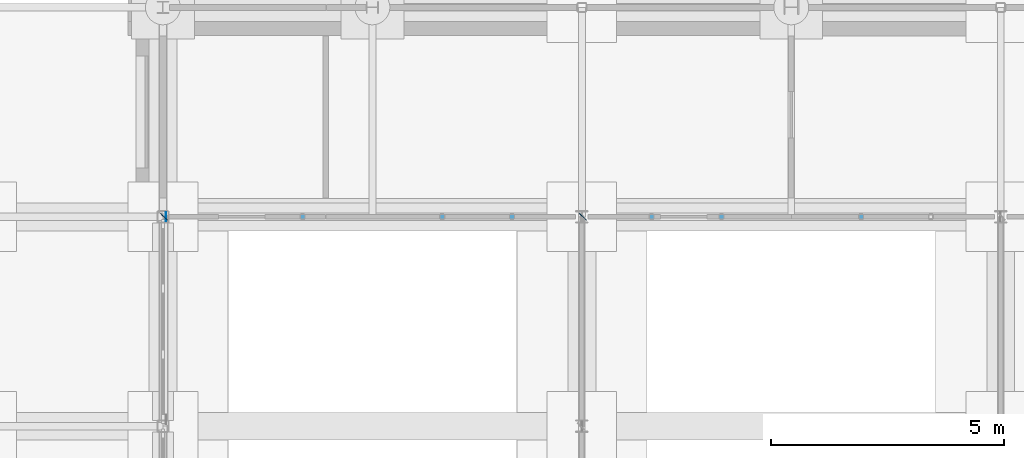
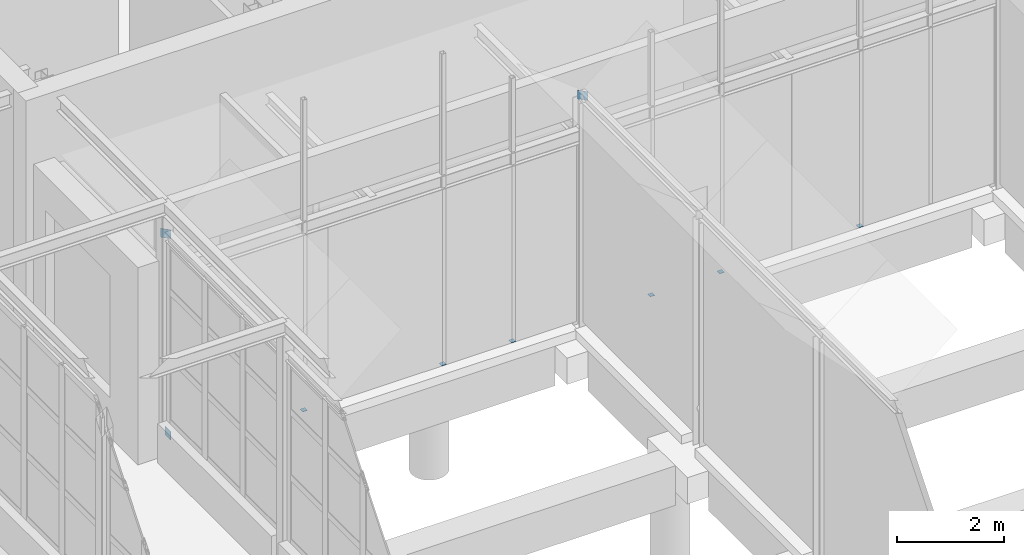
# One storey, part 87 of 106: 9 discrete accessories.
"""IFC4 building model written with IfcOpenShell, lengths in metres."""

from ifc_helpers import new_model, si_unit, direction, frame, origin, origin_2d, place, context, subcontext, project, spatial, rectangle, extrude, material, type_object, element, save


model = new_model("IFC4")

# Units and contexts
model_context = context("Model", 3, precision=1e-05, world=origin(), true_north=direction((0.0, 1.0)))
body_context = subcontext(model_context, "Body", "Model", "MODEL_VIEW")
ifc_project = project(units=[si_unit("LENGTHUNIT", "METRE"), si_unit("AREAUNIT", "SQUARE_METRE"), si_unit("VOLUMEUNIT", "CUBIC_METRE"), si_unit("PLANEANGLEUNIT", "RADIAN"), si_unit("MASSUNIT", "GRAM", prefix="KILO")], contexts=[model_context])

# Site, building, storey
site_placement = place(None, origin())
site = spatial("IfcSite", under=ifc_project, at=site_placement, CompositionType="ELEMENT")
building_placement = place(site_placement, origin())
building = spatial("IfcBuilding", under=site, at=building_placement, Name="Hortulan Conservatory and Botanical Research Centre", CompositionType="ELEMENT")
storey_placement = place(building_placement, origin())
storey = spatial("IfcBuildingStorey", under=building, at=storey_placement, Name="L00", CompositionType="ELEMENT", Elevation=0.0)

# Discrete accessories
ifc_material = material(Name="Steel Grade 300 plate (AS/NZS 3678, 280 MPa minimum yield)", Category="steel")
discrete_accessory_type_1 = type_object("IfcDiscreteAccessoryType", Name="End Plate 100x10", PredefinedType="BRACKET", material=ifc_material)
for number, where, z_axis, x_axis, name in (
    (1, (79.5, 31.5, 0.0), (0.0, 0.0, 1.0), (1.0, 0.0, 0.0), "Temperate Glasshouse gable post base plate N 3"),
    (2, (82.5, 31.5, 0.0), (0.0, 0.0, 1.0), (1.0, 0.0, 0.0), "Temperate Glasshouse gable post base plate N 6"),
    (3, (84.0, 31.5, 0.0), (0.0, 0.0, 1.0), (1.0, 0.0, 0.0), "Temperate Glasshouse gable post base plate N 7.5"),
    (4, (87.0, 31.5, 0.0), (0.0, 0.0, 1.0), (1.0, 0.0, 0.0), "Arid Glasshouse gable post base plate N 1.5"),
    (5, (88.5, 31.5, 0.0), (0.0, 0.0, 1.0), (1.0, 0.0, 0.0), "Arid Glasshouse gable post base plate N 3"),
    (6, (91.5, 31.5, 0.0), (0.0, 0.0, 1.0), (1.0, 0.0, 0.0), "Arid Glasshouse gable post base plate N 6"),
):
    element("IfcDiscreteAccessory", number, at=place(storey_placement, frame(where, z_axis=z_axis, x_axis=x_axis)), inside=storey, type_object=discrete_accessory_type_1, Name=name, PredefinedType="BRACKET", context=body_context, shape_type="SweptSolid", body=[
        extrude(rectangle(XDim=0.10009765625, YDim=0.10009765625, at=origin_2d()), origin(), (0.0, 0.0, 1.0), 0.010009765625),
    ])
discrete_accessory_type_2 = type_object("IfcDiscreteAccessoryType", Name="End Plate 200x10", PredefinedType="BRACKET", material=ifc_material)
for number, where, z_axis, x_axis, name in (
    (7, (76.5234375, 31.5, 4.97119140625), (0.0, 0.0, 1.0), (0.707106781187, -0.707106781187, 0.0), "Brace end plate"),
    (8, (76.568359375, 31.5, 0.39990234375), (0.0, 0.0, 1.0), (0.0, -1.0, 0.0), "Brace end plate"),
    (9, (85.5234375, 31.5, 4.97119140625), (0.0, 0.0, 1.0), (0.707106781187, -0.707106781187, 0.0), "Brace end plate"),
):
    element("IfcDiscreteAccessory", number, at=place(storey_placement, frame(where, z_axis=z_axis, x_axis=x_axis)), inside=storey, type_object=discrete_accessory_type_2, Name=name, PredefinedType="BRACKET", context=body_context, shape_type="SweptSolid", body=[
        extrude(rectangle(XDim=0.199951171875, YDim=0.010009765625, at=origin_2d()), origin(), (0.0, 0.0, 1.0), 0.199951171875),
    ])

save(model, "model.ifc")
